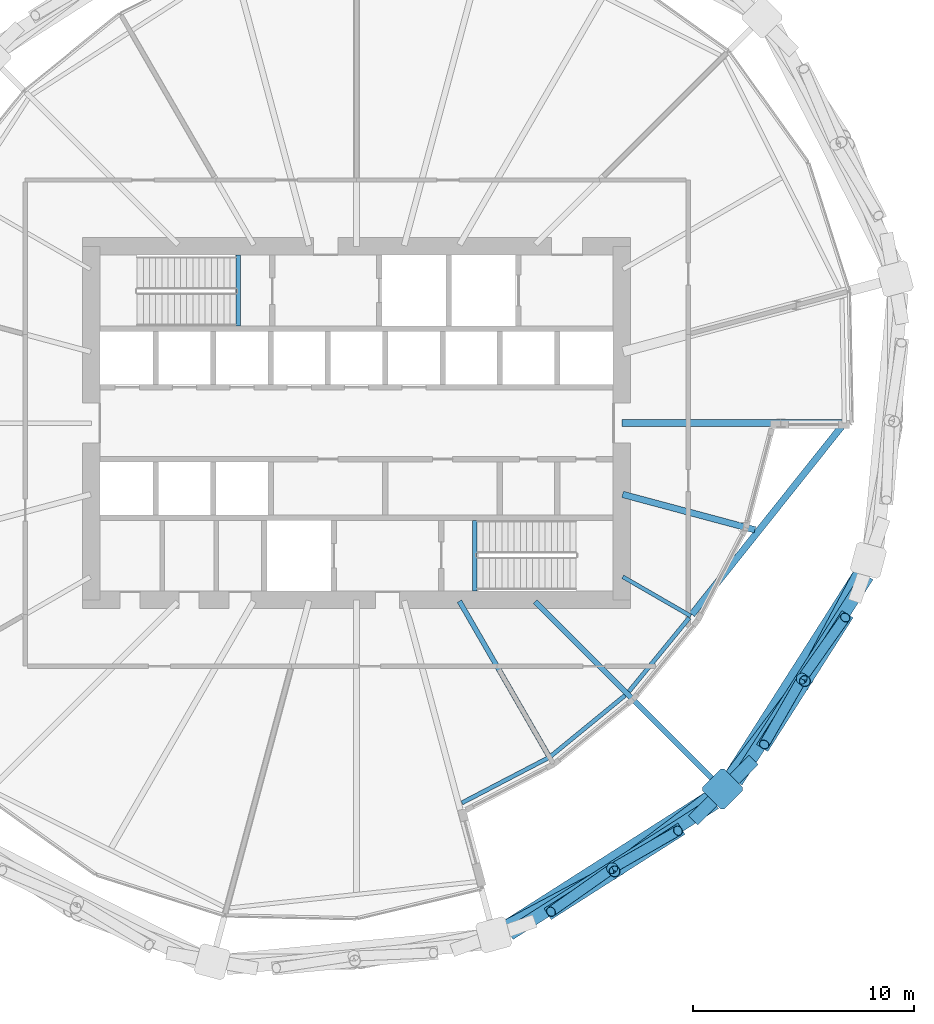
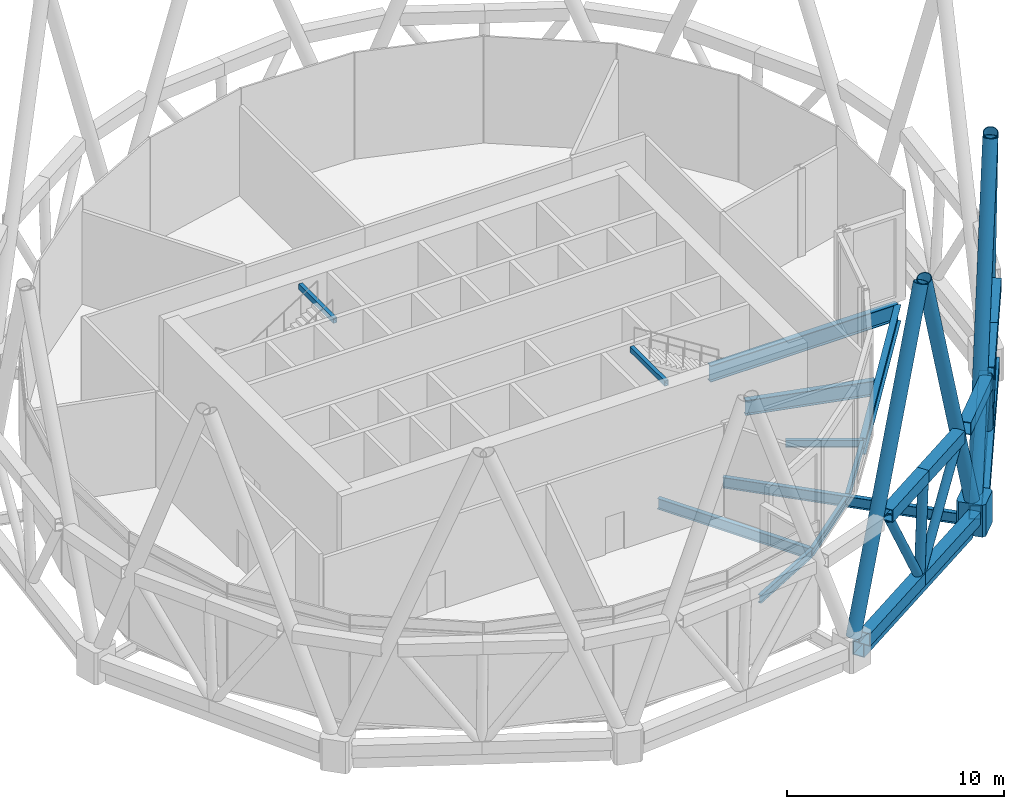
# One storey, part 19 of 33: 20 members, 13 beams.
"""IFC4 building model written with IfcOpenShell, lengths in metres."""

import ifcopenshell
import ifcopenshell.guid

model = None  # the IFC model being written
_history = None  # IfcOwnerHistory: only IFC2X3 demands one
_inside = {}  # id of a spatial element -> (the spatial element, [elements in it])
_under = {}  # id of a project, library or spatial element -> (it, [spatial elements below it])
_declared = {}  # id of a project -> (the project, [libraries it declares])
_typed = {}  # id of a type object -> (the type object, [elements of that type])
_made_of = {}  # id of a material, layer set ... -> (it, [elements and type objects made of it])


def new_model(schema):
    """Start an empty IFC model of exactly this schema.

    Asked for "IFC4X3", IfcOpenShell would pick the latest addendum, in which some entities
    have other attributes; the version numbers below select the first issue.
    IFC2X3 requires an IfcOwnerHistory on every rooted entity: one is made here for all.
    """
    global model, _history
    if schema == "IFC4X3":
        model = ifcopenshell.file(schema_version=(4, 3, 0, 0))
    else:
        model = ifcopenshell.file(schema=schema)
    _inside.clear()
    _under.clear()
    _declared.clear()
    _typed.clear()
    _made_of.clear()
    _history = None
    if model.schema == "IFC2X3":
        org = make("IfcOrganization", Name="unknown")
        user = make(
            "IfcPersonAndOrganization",
            ThePerson=make("IfcPerson", FamilyName="unknown"),
            TheOrganization=org,
        )
        app = make(
            "IfcApplication",
            ApplicationDeveloper=org,
            Version="unknown",
            ApplicationFullName="unknown",
            ApplicationIdentifier="unknown",
        )
        _history = make(
            "IfcOwnerHistory",
            OwningUser=user,
            OwningApplication=app,
            ChangeAction="ADDED",
            CreationDate=0,
        )
    return model


def make(cls, **values):
    """One entity of the class cls with the attributes given. An attribute that is None is left unset."""
    return model.create_entity(
        cls, **{name: value for name, value in values.items() if value is not None}
    )


def rooted(cls, **values):
    """An entity with a GlobalId (a new one), such as an element, a storey or a relation."""
    return make(cls, GlobalId=ifcopenshell.guid.new(), OwnerHistory=_history, **values)


def si_unit(unit_type, name, prefix=None):
    """IfcSIUnit, for example si_unit("LENGTHUNIT", "METRE", prefix="MILLI")."""
    return make("IfcSIUnit", UnitType=unit_type, Prefix=prefix, Name=name)


def assignment(units):
    """IfcUnitAssignment: the units of a project."""
    return None if units is None else make("IfcUnitAssignment", Units=units)


def point(xyz):
    """IfcCartesianPoint."""
    return None if xyz is None else make("IfcCartesianPoint", Coordinates=xyz)


def direction(xyz):
    """IfcDirection."""
    return None if xyz is None else make("IfcDirection", DirectionRatios=xyz)


def frame(location, z_axis=None, x_axis=None):
    """IfcAxis2Placement3D, a coordinate frame: its origin and axes. An axis left out is left unset."""
    return make(
        "IfcAxis2Placement3D",
        Location=point(location),
        Axis=direction(z_axis),
        RefDirection=direction(x_axis),
    )


def frame_2d(location, x_axis=None):
    """IfcAxis2Placement2D, a coordinate frame in the plane: its origin and x axis."""
    return make(
        "IfcAxis2Placement2D", Location=point(location), RefDirection=direction(x_axis)
    )


def origin():
    """The frame at (0, 0, 0) with its axes left unset."""
    return frame((0.0, 0.0, 0.0))


def origin_2d():
    """The frame at (0, 0) in the plane with its x axis left unset."""
    return frame_2d((0.0, 0.0))


def place(relative_to, where):
    """IfcLocalPlacement: puts the frame where relative to a parent placement (None: the world)."""
    return make(
        "IfcLocalPlacement", PlacementRelTo=relative_to, RelativePlacement=where
    )


def context(
    kind, dimensions, precision=None, world=None, true_north=None, identifier=None
):
    """IfcGeometricRepresentationContext, for example the 3D "Model" context."""
    return make(
        "IfcGeometricRepresentationContext",
        ContextIdentifier=identifier,
        ContextType=kind,
        CoordinateSpaceDimension=dimensions,
        Precision=precision,
        WorldCoordinateSystem=world,
        TrueNorth=true_north,
    )


def subcontext(parent, identifier, kind, view, scale=None):
    """IfcGeometricRepresentationSubContext, for example "Body" below "Model"."""
    return make(
        "IfcGeometricRepresentationSubContext",
        ContextIdentifier=identifier,
        ContextType=kind,
        ParentContext=parent,
        TargetScale=scale,
        TargetView=view,
    )


def project(units=None, contexts=None):
    """IfcProject with its units and contexts."""
    return rooted(
        "IfcProject",
        Name="project",
        RepresentationContexts=contexts,
        UnitsInContext=assignment(units),
    )


def spatial(cls, under=None, at=None, **own):
    """A site, building, storey or space (cls), placed at a placement, below another one or the project."""
    s = rooted(cls, ObjectPlacement=at, **own)
    if under is not None:
        _under.setdefault(under.id(), (under, []))[1].append(s)
    return s


def polyline(points):
    """IfcPolyline through the points."""
    return make("IfcPolyline", Points=[point(p) for p in points])


def profile(cls, at=None, kind="AREA", **sizes):
    """A parametric profile (cls). Its sizes go by their IFC names, for example OverallWidth=200.0."""
    return make(cls, ProfileType=kind, Position=at, **sizes)


def hollow_rectangle(**sizes):
    """IfcRectangleHollowProfileDef."""
    return profile("IfcRectangleHollowProfileDef", **sizes)


def hollow_circle(**sizes):
    """IfcCircleHollowProfileDef."""
    return profile("IfcCircleHollowProfileDef", **sizes)


def i_section(**sizes):
    """IfcIShapeProfileDef."""
    return profile("IfcIShapeProfileDef", **sizes)


def outline(outer, holes=None, kind="AREA"):
    """IfcArbitraryClosedProfileDef: a profile drawn as a closed curve; with holes, ...WithVoids."""
    if holes is None:
        return make("IfcArbitraryClosedProfileDef", ProfileType=kind, OuterCurve=outer)
    return make(
        "IfcArbitraryProfileDefWithVoids",
        ProfileType=kind,
        OuterCurve=outer,
        InnerCurves=holes,
    )


def extrude(swept, where, along, depth):
    """IfcExtrudedAreaSolid: the profile swept, set in the frame where, extruded along a direction by depth."""
    return make(
        "IfcExtrudedAreaSolid",
        SweptArea=swept,
        Position=where,
        ExtrudedDirection=direction(along),
        Depth=depth,
    )


def shape(context_of_items, identifier, shape_type, items):
    """IfcShapeRepresentation: the items that make up one representation, for example the "Body"."""
    return make(
        "IfcShapeRepresentation",
        ContextOfItems=context_of_items,
        RepresentationIdentifier=identifier,
        RepresentationType=shape_type,
        Items=items,
    )


def material(Name=None, Category=None):
    """IfcMaterial."""
    return make("IfcMaterial", Name=Name, Category=Category)


def material_profile(
    of_material, cross_section, Name=None, Category=None, Priority=None
):
    """IfcMaterialProfile: a cross section and its material."""
    return make(
        "IfcMaterialProfile",
        Name=Name,
        Material=of_material,
        Profile=cross_section,
        Priority=Priority,
        Category=Category,
    )


def profile_set(profiles, Name=None, composite=None):
    """IfcMaterialProfileSet."""
    return make(
        "IfcMaterialProfileSet",
        Name=Name,
        MaterialProfiles=profiles,
        CompositeProfile=composite,
    )


def made_of(thing, what):
    """Note that an element or type object is made of a material, layer set ...; save() writes the relation."""
    if what is not None:
        _made_of.setdefault(what.id(), (what, []))[1].append(thing)
    return thing


def type_object(cls, material=None, **own):
    """A type object (cls), such as IfcWallType, which elements share."""
    return made_of(rooted(cls, **own), material)


def element(
    cls,
    number,
    at=None,
    inside=None,
    cuts=None,
    type_object=None,
    material=None,
    context=None,
    identifier="Body",
    shape_type=None,
    held_by="IfcProductDefinitionShape",
    body=None,
    shapes=None,
    **own,
):
    """One element of the class cls, such as IfcWall. Its Tag is "e" and its number.

    at: its placement. inside: the storey or other place that contains it. cuts: it is an
    opening in that element (IfcRelVoidsElement). A single representation is given by context,
    identifier, shape_type and body (its items); several are given by shapes. held_by: the class
    of the entity that holds the representations. save() writes the other relations.
    """
    e = rooted(cls, Tag="e%d" % number, ObjectPlacement=at, **own)
    if body is not None:
        shapes = [shape(context, identifier, shape_type, body)]
    if shapes is not None:
        e.Representation = make(held_by, Representations=shapes)
    if inside is not None:
        _inside.setdefault(inside.id(), (inside, []))[1].append(e)
    if cuts is not None:
        rooted(
            "IfcRelVoidsElement", RelatingBuildingElement=cuts, RelatedOpeningElement=e
        )
    if type_object is not None:
        _typed.setdefault(type_object.id(), (type_object, []))[1].append(e)
    return made_of(e, material)


def aggregate(whole, parts):
    """IfcRelAggregates: a whole, such as a stair, and the parts it consists of."""
    return rooted("IfcRelAggregates", RelatingObject=whole, RelatedObjects=parts)


def save(model, path):
    """Write the relations noted so far, then the file.

    IfcRelAggregates (storeys below a building ...), IfcRelContainedInSpatialStructure (elements
    in a storey), IfcRelDefinesByType, IfcRelAssociatesMaterial and IfcRelDeclares: one each for
    every whole, place, type object, material and project.
    """
    for whole, parts in _under.values():
        aggregate(whole, parts)
    for where, things in _inside.values():
        rooted(
            "IfcRelContainedInSpatialStructure",
            RelatedElements=things,
            RelatingStructure=where,
        )
    for kind, things in _typed.values():
        rooted("IfcRelDefinesByType", RelatedObjects=things, RelatingType=kind)
    for what, things in _made_of.values():
        rooted("IfcRelAssociatesMaterial", RelatedObjects=things, RelatingMaterial=what)
    for by, libraries in _declared.values():
        rooted("IfcRelDeclares", RelatingContext=by, RelatedDefinitions=libraries)
    model.write(path)


model = new_model("IFC4")

# Units and contexts
model_context = context("Model", 3, precision=1e-05, world=origin(), true_north=direction((0.0, 1.0)))
body_context = subcontext(model_context, "Body", "Model", "MODEL_VIEW")
ifc_project = project(units=[si_unit("LENGTHUNIT", "METRE"), si_unit("AREAUNIT", "SQUARE_METRE"), si_unit("VOLUMEUNIT", "CUBIC_METRE"), si_unit("PLANEANGLEUNIT", "RADIAN"), si_unit("MASSUNIT", "GRAM", prefix="KILO")], contexts=[model_context])

# Site, building, storey
site_placement = place(None, origin())
site = spatial("IfcSite", under=ifc_project, at=site_placement, CompositionType="ELEMENT")
building_placement = place(site_placement, origin())
building = spatial("IfcBuilding", under=site, at=building_placement, Name="Rimbun Link Towers", CompositionType="ELEMENT")
storey_placement = place(building_placement, frame((0.0, 0.0, 75.60009765625)))
storey = spatial("IfcBuildingStorey", under=building, at=storey_placement, Name="L18", CompositionType="ELEMENT", Elevation=75.60009765625)

# Members
ifc_material_1 = material(Name="Steel S460N", Category="steel")
ifc_material_profile_1 = material_profile(ifc_material_1, hollow_rectangle(XDim=0.60009765625, YDim=0.699951171875, WallThickness=0.034912109375, at=origin_2d()), Name="Belt truss chord BOX 600x700x35")
ifc_profile_set_1 = profile_set([ifc_material_profile_1], Name="Steel S460N")
member_type_1 = type_object("IfcMemberType", Name="Belt truss chord BOX 600x700x35", PredefinedType="CHORD", material=ifc_profile_set_1)
member_1_placement = place(storey_placement, frame((46.9814453125, -17.968505859375, 6.0), z_axis=(0.707106781187, 0.707106781187, 0.0), x_axis=(-0.707106781187, 0.707106781187, 0.0)))
element("IfcMember", 1, at=member_1_placement, inside=storey, type_object=member_type_1, Name="Belt truss chord T2 L18 top 09", PredefinedType="CHORD", context=body_context, shape_type="SweptSolid", body=[
    extrude(hollow_rectangle(XDim=0.60009765625, YDim=0.699951171875, WallThickness=0.034912109375, at=origin_2d()), origin(), (0.0, 0.0, 1.0), 3.870849609375),
])
for number, where, z_axis, x_axis, name in (
    (2, (38.670166015625, -23.1162109375, 0.18994140625), (0.843225441805, 0.537560093657, 0.0), (-0.537560093657, 0.843225441805, 0.0), "Belt truss chord T2 L18 bottom 16"),
    (3, (43.3193359375, -20.15234375, 0.18994140625), (0.843258306899, 0.537508537463, 0.0), (-0.537508537463, 0.843258306899, 0.0), "Belt truss chord T2 L18 bottom 17"),
):
    element("IfcMember", number, at=place(storey_placement, frame(where, z_axis=z_axis, x_axis=x_axis)), inside=storey, type_object=member_type_1, Name=name, PredefinedType="CHORD", context=body_context, shape_type="SweptSolid", body=[
        extrude(hollow_rectangle(XDim=0.60009765625, YDim=0.699951171875, WallThickness=0.034912109375, at=origin_2d()), origin(), (0.0, 0.0, 1.0), 5.513671875),
    ])
for number, where, z_axis, x_axis, name in (
    (4, (40.39599609375, -22.21484375, 6.0), (0.843244145842, 0.537530753077, 0.0), (-0.537530753077, 0.843244145842, 0.0), "Belt truss chord T2 L18 top 28"),
    (5, (43.42431640625, -20.284423828125, 6.0), (0.843244145842, 0.537530753077, 0.0), (-0.537530753077, 0.843244145842, 0.0), "Belt truss chord T2 L18 top 29"),
):
    element("IfcMember", number, at=place(storey_placement, frame(where, z_axis=z_axis, x_axis=x_axis)), inside=storey, type_object=member_type_1, Name=name, PredefinedType="CHORD", context=body_context, shape_type="SweptSolid", body=[
        extrude(hollow_rectangle(XDim=0.60009765625, YDim=0.699951171875, WallThickness=0.034912109375, at=origin_2d()), origin(), (0.0, 0.0, 1.0), 3.59130859375),
    ])
for number, where, z_axis, x_axis, name in (
    (6, (48.938720703125, -16.21875, 0.18994140625), (0.537508537463, 0.843258306899, 0.0), (-0.843258306899, 0.537508537463, 0.0), "Belt truss chord T2 L18 bottom 18"),
    (7, (51.90234375, -11.5693359375, 0.18994140625), (0.537560093657, 0.843225441805, 0.0), (-0.843225441805, 0.537560093657, 0.0), "Belt truss chord T2 L18 bottom 19"),
):
    element("IfcMember", number, at=place(storey_placement, frame(where, z_axis=z_axis, x_axis=x_axis)), inside=storey, type_object=member_type_1, Name=name, PredefinedType="CHORD", context=body_context, shape_type="SweptSolid", body=[
        extrude(hollow_rectangle(XDim=0.60009765625, YDim=0.699951171875, WallThickness=0.034912109375, at=origin_2d()), origin(), (0.0, 0.0, 1.0), 5.513671875),
    ])
for number, where, z_axis, x_axis, name in (
    (8, (50.10400390625, -14.70263671875, 6.0), (0.537530753077, 0.843244145842, 0.0), (-0.843244145842, 0.537530753077, 0.0), "Belt truss chord T2 L18 top 30"),
    (9, (52.034423828125, -11.67431640625, 6.0), (0.537530753077, 0.843244145842, 0.0), (-0.843244145842, 0.537530753077, 0.0), "Belt truss chord T2 L18 top 31"),
):
    element("IfcMember", number, at=place(storey_placement, frame(where, z_axis=z_axis, x_axis=x_axis)), inside=storey, type_object=member_type_1, Name=name, PredefinedType="CHORD", context=body_context, shape_type="SweptSolid", body=[
        extrude(hollow_rectangle(XDim=0.60009765625, YDim=0.699951171875, WallThickness=0.034912109375, at=origin_2d()), origin(), (0.0, 0.0, 1.0), 3.59130859375),
    ])
ifc_material_2 = material(Name="Steel S355J2H", Category="steel")
ifc_material_profile_2 = material_profile(ifc_material_2, hollow_circle(Radius=0.228515625, WallThickness=0.01611328125, at=origin_2d()), Name="Belt truss diagonal CHS 457x16")
ifc_profile_set_2 = profile_set([ifc_material_profile_2], Name="Steel S355J2H")
member_type_2 = type_object("IfcMemberType", Name="Belt truss diagonal CHS 457x16", PredefinedType="BRACE", material=ifc_profile_set_2)
member_2_placement = place(storey_placement, frame((43.16943359375, -20.25830078125, 0.48779296875), z_axis=(-0.428452563968, -0.302221332112, 0.851522558037), x_axis=(0.57640849577, -0.817161701259, 0.0)))
element("IfcMember", 10, at=member_2_placement, inside=storey, type_object=member_type_2, Name="Belt truss diagonal T2 L18 16", PredefinedType="BRACE", context=body_context, shape_type="SweptSolid", body=[
    extrude(hollow_circle(Radius=0.228515625, WallThickness=0.01611328125, at=origin_2d()), origin(), (0.0, 0.0, 1.0), 6.123291015625),
])
for number, where, z_axis, x_axis, name in (
    (11, (43.479736328125, -20.060302734375, 0.487060546875), (0.457975445201, 0.262875758972, 0.849208353079), (-0.497816141183, 0.867282589228, 0.0), "Belt truss diagonal T2 L18 17"),
    (12, (51.810302734375, -11.729736328125, 0.487060546875), (-0.262875758972, -0.457975445201, 0.849208353079), (0.867282589228, -0.497816141183, 0.0), "Belt truss diagonal T2 L18 18"),
):
    element("IfcMember", number, at=place(storey_placement, frame(where, z_axis=z_axis, x_axis=x_axis)), inside=storey, type_object=member_type_2, Name=name, PredefinedType="BRACE", context=body_context, shape_type="SweptSolid", body=[
        extrude(hollow_circle(Radius=0.228515625, WallThickness=0.01611328125, at=origin_2d()), origin(), (0.0, 0.0, 1.0), 6.1416015625),
    ])
member_3_placement = place(storey_placement, frame((52.00830078125, -11.41943359375, 0.48779296875), z_axis=(0.302221332112, 0.428452563968, 0.851522558037), x_axis=(-0.817161701259, 0.57640849577, 0.0)))
element("IfcMember", 13, at=member_3_placement, inside=storey, type_object=member_type_2, Name="Belt truss diagonal T2 L18 19", PredefinedType="BRACE", context=body_context, shape_type="SweptSolid", body=[
    extrude(hollow_circle(Radius=0.228515625, WallThickness=0.01611328125, at=origin_2d()), origin(), (0.0, 0.0, 1.0), 6.123291015625),
])
ifc_material_3 = material(Name="Steel S355J2H", Category="steel")
ifc_material_profile_3 = material_profile(ifc_material_3, hollow_circle(Radius=0.25390625, WallThickness=0.02001953125, at=origin_2d()), Name="Belt truss strut CHS 508x20")
ifc_profile_set_3 = profile_set([ifc_material_profile_3], Name="Steel S355J2H")
member_type_3 = type_object("IfcMemberType", Name="Belt truss strut CHS 508x20", PredefinedType="STRUT", material=ifc_profile_set_3)
for number, where, z_axis, x_axis, name in (
    (14, (43.3193359375, -20.15234375, 0.539794921875), (0.020532502964, -0.025832753729, 0.999455394281), (0.782841327682, 0.622221387991, 0.0), "Belt truss strut T2 L18 08"),
    (15, (51.90234375, -11.5693359375, 0.539794921875), (0.025832753729, -0.020532502964, 0.999455394281), (0.622221387991, 0.782841327682, 0.0), "Belt truss strut T2 L18 09"),
):
    element("IfcMember", number, at=place(storey_placement, frame(where, z_axis=z_axis, x_axis=x_axis)), inside=storey, type_object=member_type_3, Name=name, PredefinedType="STRUT", context=body_context, shape_type="SweptSolid", body=[
        extrude(hollow_circle(Radius=0.25390625, WallThickness=0.02001953125, at=origin_2d()), origin(), (0.0, 0.0, 1.0), 5.11279296875),
    ])
ifc_material_4 = material(Name="Steel S460NH", Category="steel")
ifc_material_profile_4 = material_profile(ifc_material_4, hollow_circle(Radius=0.355712890625, WallThickness=0.031982421875, at=origin_2d()), Name="Diagrid diagonal CHS 711x32")
ifc_profile_set_4 = profile_set([ifc_material_profile_4], Name="Steel S460NH")
member_type_4 = type_object("IfcMemberType", Name="Diagrid diagonal CHS 711x32", PredefinedType="BRACE", material=ifc_profile_set_4)
member_4_placement = place(storey_placement, frame((38.103271484375, -23.078125, 0.470703125), z_axis=(0.296650748987, 0.157902640468, 0.941841329131), x_axis=(-0.469867369445, 0.882737024901, 0.0)))
element("IfcMember", 16, at=member_4_placement, inside=storey, type_object=member_type_4, Name="Diagrid diagonal T2 L18-L22 16b", PredefinedType="BRACE", context=body_context, shape_type="SweptSolid", body=[
    extrude(hollow_circle(Radius=0.355712890625, WallThickness=0.031982421875, at=origin_2d()), origin(), (0.0, 0.0, 1.0), 17.474609375),
])
for number, where, z_axis, x_axis, name in (
    (17, (48.175537109375, -16.657470703125, 0.4716796875), (-0.264203737455, -0.199685615916, 0.94356877858), (0.602958053139, -0.797772891339, 0.0), "Diagrid diagonal T2 L18-L22 18a"),
    (18, (48.407470703125, -16.425537109375, 0.4716796875), (0.199685615916, 0.264203737455, 0.94356877858), (-0.797772891339, 0.602958053139, 0.0), "Diagrid diagonal T2 L18-L22 18b"),
):
    element("IfcMember", number, at=place(storey_placement, frame(where, z_axis=z_axis, x_axis=x_axis)), inside=storey, type_object=member_type_4, Name=name, PredefinedType="BRACE", context=body_context, shape_type="SweptSolid", body=[
        extrude(hollow_circle(Radius=0.355712890625, WallThickness=0.031982421875, at=origin_2d()), origin(), (0.0, 0.0, 1.0), 17.440673828125),
    ])
member_5_placement = place(storey_placement, frame((54.828125, -6.353271484375, 0.470703125), z_axis=(-0.157902640468, -0.296650748987, 0.941841329131), x_axis=(0.882737024901, -0.469867369445, 0.0)))
element("IfcMember", 19, at=member_5_placement, inside=storey, type_object=member_type_4, Name="Diagrid diagonal T2 L18-L22 20a", PredefinedType="BRACE", context=body_context, shape_type="SweptSolid", body=[
    extrude(hollow_circle(Radius=0.355712890625, WallThickness=0.031982421875, at=origin_2d()), origin(), (0.0, 0.0, 1.0), 17.474609375),
])
ifc_material_5 = material(Name="Cast steel G20Mn5+QT, Rp0.2 300 MPa", Category="steel")
ifc_material_profile_5 = material_profile(ifc_material_5, outline(polyline([(0.699951171875, -0.570068359375), (0.699951171875, 0.570068359375), (0.570068359375, 0.699951171875), (-0.570068359375, 0.699951171875), (-0.699951171875, 0.570068359375), (-0.699951171875, -0.570068359375), (-0.570068359375, -0.699951171875), (0.570068359375, -0.699951171875), (0.699951171875, -0.570068359375)])), Name="NODE 1400x1400")
ifc_profile_set_5 = profile_set([ifc_material_profile_5], Name="Cast steel G20Mn5+QT, Rp0.2 300 MPa")
member_type_5 = type_object("IfcMemberType", Name="Diagrid node cast 1400", PredefinedType="USERDEFINED", material=ifc_profile_set_5)
member_6_placement = place(storey_placement, frame((48.3076171875, -16.5576171875, -0.900146484375), z_axis=(0.0, 0.0, 1.0), x_axis=(0.707106781187, -0.707106781187, 0.0)))
element("IfcMember", 20, at=member_6_placement, inside=storey, type_object=member_type_5, Name="Diagrid node L18 18", ObjectType="Diagrid node", PredefinedType="USERDEFINED", context=body_context, shape_type="SweptSolid", body=[
    extrude(outline(polyline([(0.699951171875, -0.570068359375), (0.699951171875, 0.570068359375), (0.570068359375, 0.699951171875), (-0.570068359375, 0.699951171875), (-0.699951171875, 0.570068359375), (-0.699951171875, -0.570068359375), (-0.570068359375, -0.699951171875), (0.570068359375, -0.699951171875), (0.699951171875, -0.570068359375)])), origin(), (0.0, 0.0, 1.0), 1.800048828125),
])

# Beams
ifc_material_6 = material(Name="Steel S355J2", Category="steel")
ifc_material_profile_6 = material_profile(ifc_material_6, hollow_rectangle(XDim=0.60009765625, YDim=0.800048828125, WallThickness=0.0400390625, at=origin_2d()), Name="Exoskeleton ring girder BOX 600x800x40")
ifc_profile_set_6 = profile_set([ifc_material_profile_6], Name="Steel S355J2")
beam_type_1 = type_object("IfcBeamType", Name="Exoskeleton ring girder BOX 600x800x40", PredefinedType="BEAM", material=ifc_profile_set_6)
for number, where, z_axis, x_axis, name in (
    (21, (38.545166015625, -22.78076171875, -0.56005859375), (0.843239788126, 0.537537589125, 0.0), (-0.537537589125, 0.843239788126, 0.0), "Exoskeleton ring girder L18 08"),
    (22, (48.683837890625, -15.96728515625, -0.56005859375), (0.537537589125, 0.843239788126, 0.0), (-0.843239788126, 0.537537589125, 0.0), "Exoskeleton ring girder L18 09"),
):
    element("IfcBeam", number, at=place(storey_placement, frame(where, z_axis=z_axis, x_axis=x_axis)), inside=storey, type_object=beam_type_1, Name=name, PredefinedType="BEAM", context=body_context, shape_type="SweptSolid", body=[
        extrude(hollow_rectangle(XDim=0.60009765625, YDim=0.800048828125, WallThickness=0.0400390625, at=origin_2d()), origin(), (0.0, 0.0, 1.0), 10.877197265625),
    ])
ifc_material_7 = material(Name="Steel S355J2", Category="steel")
ifc_material_profile_7 = material_profile(ifc_material_7, hollow_rectangle(XDim=0.199951171875, YDim=0.300048828125, WallThickness=0.011962890625, at=origin_2d()), Name="BOX 300x200x12")
ifc_profile_set_7 = profile_set([ifc_material_profile_7], Name="Steel S355J2")
beam_type_2 = type_object("IfcBeamType", Name="Stair trimmer beam BOX 300x200x12", PredefinedType="BEAM", material=ifc_profile_set_7)
for number, where, z_axis, x_axis, name in (
    (23, (26.39990234375, 7.60009765625, 5.68994140625), (0.0, -1.0, 0.0), (1.0, 0.0, 0.0), "L18 ST3 stair beam 1"),
    (24, (37.10009765625, -7.60009765625, 5.68994140625), (0.0, 1.0, 0.0), (-1.0, 0.0, 0.0), "L18 ST4 stair beam 1"),
):
    element("IfcBeam", number, at=place(storey_placement, frame(where, z_axis=z_axis, x_axis=x_axis)), inside=storey, type_object=beam_type_2, Name=name, PredefinedType="BEAM", context=body_context, shape_type="SweptSolid", body=[
        extrude(hollow_rectangle(XDim=0.199951171875, YDim=0.300048828125, WallThickness=0.011962890625, at=origin_2d()), origin(), (0.0, 0.0, 1.0), 3.2001953125),
    ])
ifc_material_8 = material(Name="Steel S355J2", Category="steel")
ifc_material_profile_8 = material_profile(ifc_material_8, i_section(OverallWidth=0.177978515625, OverallDepth=0.406494140625, WebThickness=0.0078125, FlangeThickness=0.0126953125, at=origin_2d()), Name="UB 406x178x60")
ifc_profile_set_8 = profile_set([ifc_material_profile_8], Name="Steel S355J2")
beam_type_3 = type_object("IfcBeamType", Name="UB 406x178x60", PredefinedType="BEAM", material=ifc_profile_set_8)
beam_1_placement = place(storey_placement, frame((43.79541015625, -6.954345703125, -0.4033203125), z_axis=(0.866003436079, -0.500038047252, 0.0), x_axis=(0.500038047252, 0.866003436079, 0.0)))
element("IfcBeam", 25, at=beam_1_placement, inside=storey, type_object=beam_type_3, Name="Radial beam T2 L18 19", PredefinedType="BEAM", context=body_context, shape_type="SweptSolid", body=[
    extrude(i_section(OverallWidth=0.177978515625, OverallDepth=0.406494140625, WebThickness=0.0078125, FlangeThickness=0.0126953125, at=origin_2d()), origin(), (0.0, 0.0, 1.0), 3.549072265625),
])
ifc_material_9 = material(Name="Steel S355J2", Category="steel")
ifc_material_profile_9 = material_profile(ifc_material_9, i_section(OverallWidth=0.18994140625, OverallDepth=0.453369140625, WebThickness=0.008544921875, FlangeThickness=0.0126953125, at=origin_2d()), Name="UB 457x191x67")
ifc_profile_set_9 = profile_set([ifc_material_profile_9], Name="Steel S355J2")
beam_type_4 = type_object("IfcBeamType", Name="UB 457x191x67", PredefinedType="BEAM", material=ifc_profile_set_9)
beam_2_placement = place(storey_placement, frame((36.515380859375, -17.185546875, -0.4267578125), z_axis=(0.886721477619, 0.46230403538, 0.0), x_axis=(-0.46230403538, 0.886721477619, 0.0)))
element("IfcBeam", 26, at=beam_2_placement, inside=storey, type_object=beam_type_4, Name="Edge beam T2 L18 16 recess", PredefinedType="BEAM", context=body_context, shape_type="SweptSolid", body=[
    extrude(i_section(OverallWidth=0.18994140625, OverallDepth=0.453369140625, WebThickness=0.008544921875, FlangeThickness=0.0126953125, at=origin_2d()), origin(), (0.0, 0.0, 1.0), 4.459228515625),
])
beam_3_placement = place(storey_placement, frame((40.4873046875, -15.1123046875, -0.4267578125), z_axis=(0.773927668345, 0.633274004022, 0.0), x_axis=(-0.633274004022, 0.773927668345, 0.0)))
element("IfcBeam", 27, at=beam_3_placement, inside=storey, type_object=beam_type_4, Name="Edge beam T2 L18 17 recess", PredefinedType="BEAM", context=body_context, shape_type="SweptSolid", body=[
    extrude(i_section(OverallWidth=0.18994140625, OverallDepth=0.453369140625, WebThickness=0.008544921875, FlangeThickness=0.0126953125, at=origin_2d()), origin(), (0.0, 0.0, 1.0), 4.4052734375),
])
beam_4_placement = place(storey_placement, frame((44.072509765625, -12.146728515625, -0.4267578125), z_axis=(0.633265555355, 0.773934581473, 0.0), x_axis=(-0.773934581473, 0.633265555355, 0.0)))
element("IfcBeam", 28, at=beam_4_placement, inside=storey, type_object=beam_type_4, Name="Edge beam T2 L18 18 recess", PredefinedType="BEAM", context=body_context, shape_type="SweptSolid", body=[
    extrude(i_section(OverallWidth=0.18994140625, OverallDepth=0.453369140625, WebThickness=0.008544921875, FlangeThickness=0.0126953125, at=origin_2d()), origin(), (0.0, 0.0, 1.0), 4.309326171875),
])
ifc_material_10 = material(Name="Steel S355J2", Category="steel")
ifc_material_profile_10 = material_profile(ifc_material_10, i_section(OverallWidth=0.2275390625, OverallDepth=0.6025390625, WebThickness=0.010498046875, FlangeThickness=0.014892578125, at=origin_2d()), Name="UB 610x229x101")
ifc_profile_set_10 = profile_set([ifc_material_profile_10], Name="Steel S355J2")
beam_type_5 = type_object("IfcBeamType", Name="UB 610x229x101", PredefinedType="BEAM", material=ifc_profile_set_10)
beam_5_placement = place(storey_placement, frame((36.402099609375, -8.057861328125, -0.50146484375), z_axis=(0.500003967864, -0.866023112925, 0.0), x_axis=(0.866023112925, 0.500003967864, 0.0)))
element("IfcBeam", 29, at=beam_5_placement, inside=storey, type_object=beam_type_5, Name="Radial beam T2 L18 17", PredefinedType="BEAM", context=body_context, shape_type="SweptSolid", body=[
    extrude(i_section(OverallWidth=0.2275390625, OverallDepth=0.6025390625, WebThickness=0.010498046875, FlangeThickness=0.014892578125, at=origin_2d()), origin(), (0.0, 0.0, 1.0), 8.0576171875),
])
beam_6_placement = place(storey_placement, frame((39.831298828125, -8.081298828125, -0.50146484375), z_axis=(0.707106781187, -0.707106781187, 0.0), x_axis=(0.707106781187, 0.707106781187, 0.0)))
element("IfcBeam", 30, at=beam_6_placement, inside=storey, type_object=beam_type_5, Name="Radial beam T2 L18 18", PredefinedType="BEAM", context=body_context, shape_type="SweptSolid", body=[
    extrude(i_section(OverallWidth=0.2275390625, OverallDepth=0.6025390625, WebThickness=0.010498046875, FlangeThickness=0.014892578125, at=origin_2d()), origin(), (0.0, 0.0, 1.0), 11.4873046875),
])
ifc_material_11 = material(Name="Steel S355J2", Category="steel")
ifc_material_profile_11 = material_profile(ifc_material_11, i_section(OverallWidth=0.29248046875, OverallDepth=0.8408203125, WebThickness=0.0126953125, FlangeThickness=0.021728515625, at=origin_2d()), Name="UB 838x292x194")
ifc_profile_set_11 = profile_set([ifc_material_profile_11], Name="Steel S355J2")
beam_type_6 = type_object("IfcBeamType", Name="UB 838x292x194", PredefinedType="BEAM", material=ifc_profile_set_11)
beam_7_placement = place(storey_placement, frame((43.788818359375, -3.225830078125, -0.62060546875), z_axis=(0.965923795283, -0.258826624802, 0.0), x_axis=(0.258826624802, 0.965923795283, 0.0)))
element("IfcBeam", 31, at=beam_7_placement, inside=storey, type_object=beam_type_6, Name="Radial beam T2 L18 20", PredefinedType="BEAM", context=body_context, shape_type="SweptSolid", body=[
    extrude(i_section(OverallWidth=0.29248046875, OverallDepth=0.8408203125, WebThickness=0.0126953125, FlangeThickness=0.021728515625, at=origin_2d()), origin(), (0.0, 0.0, 1.0), 6.199951171875),
])
ifc_material_12 = material(Name="Steel S355J2", Category="steel")
ifc_material_profile_12 = material_profile(ifc_material_12, i_section(OverallWidth=0.305419921875, OverallDepth=0.91845703125, WebThickness=0.017333984375, FlangeThickness=0.02783203125, at=origin_2d()), Name="UB 914x305x253")
ifc_profile_set_12 = profile_set([ifc_material_profile_12], Name="Steel S355J2")
beam_type_7 = type_object("IfcBeamType", Name="UB 914x305x253", PredefinedType="BEAM", material=ifc_profile_set_12)
beam_8_placement = place(storey_placement, frame((43.7509765625, 0.0, -0.6591796875), z_axis=(1.0, 0.0, 0.0), x_axis=(0.0, 1.0, 0.0)))
element("IfcBeam", 32, at=beam_8_placement, inside=storey, type_object=beam_type_7, Name="Radial beam T2 L18 21", PredefinedType="BEAM", context=body_context, shape_type="SweptSolid", body=[
    extrude(i_section(OverallWidth=0.305419921875, OverallDepth=0.91845703125, WebThickness=0.017333984375, FlangeThickness=0.02783203125, at=origin_2d()), origin(), (0.0, 0.0, 1.0), 9.974365234375),
])
beam_9_placement = place(storey_placement, frame((46.92578125, -8.65771484375, -0.6591796875), z_axis=(0.623003888764, 0.782218738324, 0.0), x_axis=(-0.782218738324, 0.623003888764, 0.0)))
element("IfcBeam", 33, at=beam_9_placement, inside=storey, type_object=beam_type_7, Name="Edge beam T2 L18 19-21", PredefinedType="BEAM", context=body_context, shape_type="SweptSolid", body=[
    extrude(i_section(OverallWidth=0.305419921875, OverallDepth=0.91845703125, WebThickness=0.017333984375, FlangeThickness=0.02783203125, at=origin_2d()), origin(), (0.0, 0.0, 1.0), 10.871826171875),
])

save(model, "model.ifc")
